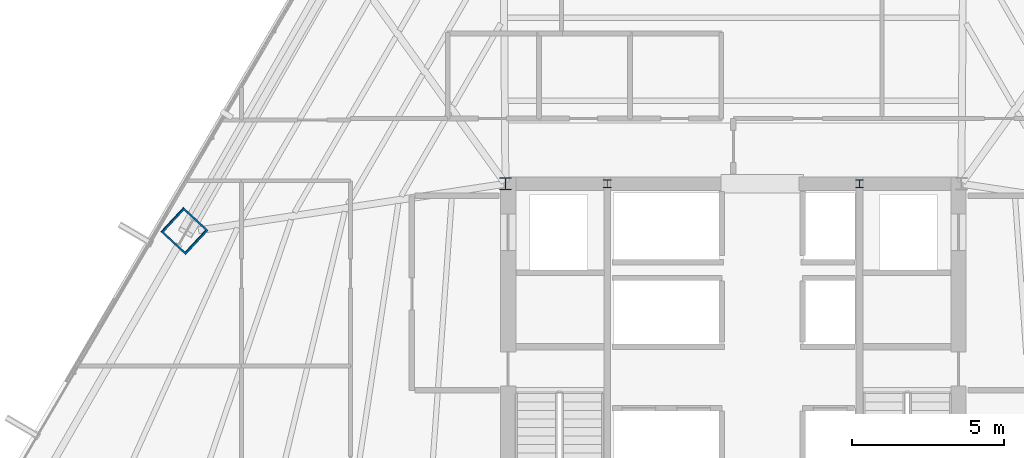
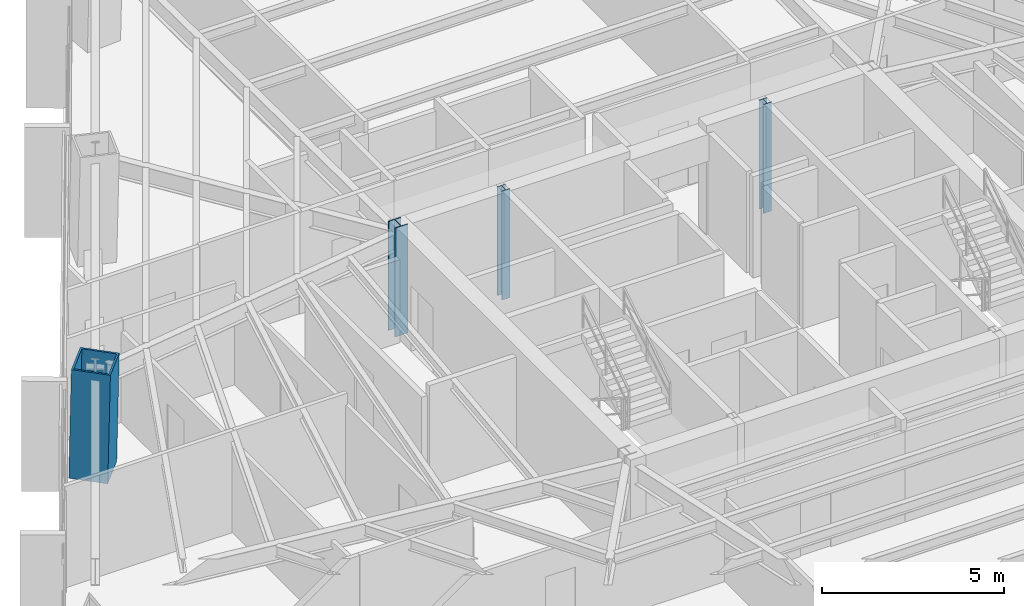
# One storey, part 2 of 35: 4 columns.
"""IFC4 building model written with IfcOpenShell, lengths in metres."""

from ifc_helpers import new_model, si_unit, direction, frame, origin, origin_2d, place, context, subcontext, project, spatial, hollow_rectangle, i_section, extrude, source, transform, mapped, material, material_profile, profile_set, type_object, type_shapes, element, save


model = new_model("IFC4")

# Units and contexts
model_context = context("Model", 3, precision=1e-05, world=origin(), true_north=direction((0.0, 1.0)))
body_context = subcontext(model_context, "Body", "Model", "MODEL_VIEW")
ifc_project = project(units=[si_unit("LENGTHUNIT", "METRE"), si_unit("AREAUNIT", "SQUARE_METRE"), si_unit("VOLUMEUNIT", "CUBIC_METRE"), si_unit("PLANEANGLEUNIT", "RADIAN"), si_unit("MASSUNIT", "GRAM", prefix="KILO")], contexts=[model_context])

# Site, building, storey
site_placement = place(None, origin())
site = spatial("IfcSite", under=ifc_project, at=site_placement, CompositionType="ELEMENT")
building_placement = place(site_placement, origin())
building = spatial("IfcBuilding", under=site, at=building_placement, Name="Caelisora Broadcast Tower", CompositionType="ELEMENT")
storey_placement = place(building_placement, frame((0.0, 0.0, 94.449951171875)))
storey = spatial("IfcBuildingStorey", under=building, at=storey_placement, Name="L24", CompositionType="ELEMENT", Elevation=94.449951171875)

# Columns
ifc_material_1 = material(Name="Steel Grade 350 (AS/NZS 3679.1)", Category="steel")
ifc_material_profile_1 = material_profile(ifc_material_1, i_section(OverallWidth=0.256103515625, OverallDepth=0.260009765625, WebThickness=0.010498046875, FlangeThickness=0.017333984375, at=origin_2d()), Name="Steel Grade 350 (AS/NZS 3679.1)")
ifc_profile_set_1 = profile_set([ifc_material_profile_1], Name="Steel Grade 350 (AS/NZS 3679.1)")
column_type_1 = type_object("IfcColumnType", Name="CC05", PredefinedType="COLUMN", material=ifc_profile_set_1)
shared_shape_1 = source(origin(), body_context, "Body", "SweptSolid", [
    extrude(i_section(OverallWidth=0.256103515625, OverallDepth=0.260009765625, WebThickness=0.010498046875, FlangeThickness=0.017333984375, at=origin_2d()), origin(), (0.0, 0.0, 1.0), 3.650146484375),
])
type_shapes(column_type_1, [shared_shape_1])
for number, where, z_axis, x_axis, name in (
    (1, (33.85009765625, 30.0, 0.0), (0.0, 0.0, 1.0), (1.0, 0.0, 0.0), "L24 column CC05"),
    (2, (42.14990234375, 30.0, 0.0), (0.0, 0.0, 1.0), (1.0, 0.0, 0.0), "L24 column CC05"),
):
    element("IfcColumn", number, at=place(storey_placement, frame(where, z_axis=z_axis, x_axis=x_axis)), inside=storey, type_object=column_type_1, Name=name, PredefinedType="COLUMN", context=body_context, shape_type="MappedRepresentation", body=[
        mapped(shared_shape_1, transform((0.0, 0.0, 0.0), scale=1.0)),
    ])
ifc_material_2 = material(Name="Steel Grade 350 L15 (AS/NZS 3678)", Category="steel")
ifc_material_profile_2 = material_profile(ifc_material_2, hollow_rectangle(XDim=1.10009765625, YDim=1.10009765625, WallThickness=0.06005859375, at=origin_2d()), Name="Steel Grade 350 L15 (AS/NZS 3678)")
ifc_profile_set_2 = profile_set([ifc_material_profile_2], Name="Steel Grade 350 L15 (AS/NZS 3678)")
column_type_2 = type_object("IfcColumnType", Name="MC03", PredefinedType="COLUMN", material=ifc_profile_set_2)
shared_shape_2 = source(origin(), body_context, "Body", "SweptSolid", [
    extrude(hollow_rectangle(XDim=1.10009765625, YDim=1.10009765625, WallThickness=0.06005859375, at=origin_2d()), origin(), (0.0, 0.0, 1.0), 3.65087890625),
])
type_shapes(column_type_2, [shared_shape_2])
column_1_placement = place(storey_placement, frame((19.930419921875, 28.4541015625, 0.0), z_axis=(0.014845459728, -0.013775516685, 0.9997949027), x_axis=(0.68019775991, 0.733028653883, 0.0)))
element("IfcColumn", 3, at=column_1_placement, inside=storey, type_object=column_type_2, Name="L24 column MC03", PredefinedType="COLUMN", context=body_context, shape_type="MappedRepresentation", body=[
    mapped(shared_shape_2, transform((0.0, 0.0, 0.0), scale=1.0)),
])
ifc_material_3 = material(Name="Steel Grade 350 (AS/NZS 3679.2)", Category="steel")
ifc_material_profile_3 = material_profile(ifc_material_3, i_section(OverallWidth=0.39990234375, OverallDepth=0.39990234375, WebThickness=0.02001953125, FlangeThickness=0.031982421875, at=origin_2d()), Name="Steel Grade 350 (AS/NZS 3679.2)")
ifc_profile_set_3 = profile_set([ifc_material_profile_3], Name="Steel Grade 350 (AS/NZS 3679.2)")
column_type_3 = type_object("IfcColumnType", Name="CC02", PredefinedType="COLUMN", material=ifc_profile_set_3)
shared_shape_3 = source(origin(), body_context, "Body", "SweptSolid", [
    extrude(i_section(OverallWidth=0.39990234375, OverallDepth=0.39990234375, WebThickness=0.02001953125, FlangeThickness=0.031982421875, at=origin_2d()), origin(), (0.0, 0.0, 1.0), 3.650146484375),
])
type_shapes(column_type_3, [shared_shape_3])
column_2_placement = place(storey_placement, frame((30.5, 30.0, 0.0), z_axis=(0.0, 0.0, 1.0), x_axis=(1.0, 0.0, 0.0)))
element("IfcColumn", 4, at=column_2_placement, inside=storey, type_object=column_type_3, Name="L24 column CC02", PredefinedType="COLUMN", context=body_context, shape_type="MappedRepresentation", body=[
    mapped(shared_shape_3, transform((0.0, 0.0, 0.0), scale=1.0)),
])

save(model, "model.ifc")
